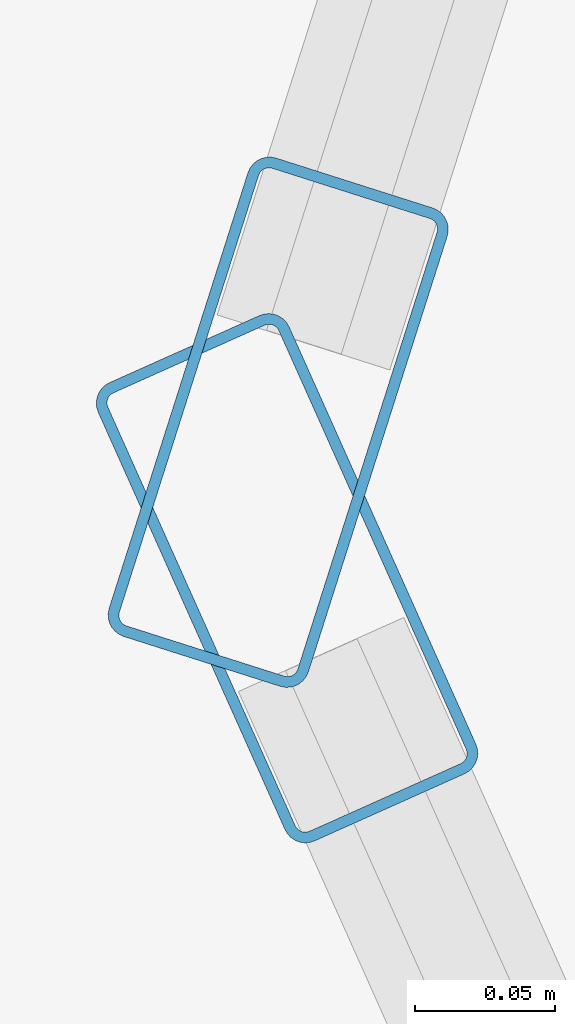
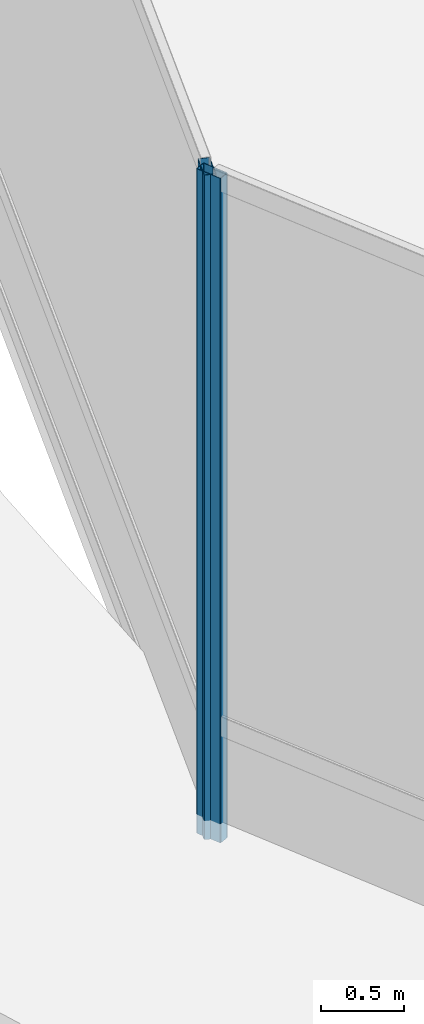
# One storey, part 6 of 21: 2 members, 2 elements without a shape of their own.
"""IFC4 building model written with IfcOpenShell, lengths in metres."""

from ifc_helpers import new_model, si_unit, direction, frame, origin, origin_2d, place, context, subcontext, project, spatial, hollow_rectangle, extrude, material, layer, layer_set, material_profile, profile_set, type_object, element, aggregate, save


model = new_model("IFC4")

# Units and contexts
model_context = context("Model", 3, precision=1e-05, world=origin(), true_north=direction((0.0, 1.0)))
body_context = subcontext(model_context, "Body", "Model", "MODEL_VIEW")
ifc_project = project(units=[si_unit("LENGTHUNIT", "METRE"), si_unit("AREAUNIT", "SQUARE_METRE"), si_unit("VOLUMEUNIT", "CUBIC_METRE"), si_unit("PLANEANGLEUNIT", "RADIAN"), si_unit("MASSUNIT", "GRAM", prefix="KILO")], contexts=[model_context])

# Site, building, storey
site_placement = place(None, origin())
site = spatial("IfcSite", under=ifc_project, at=site_placement, CompositionType="ELEMENT")
building_placement = place(site_placement, origin())
building = spatial("IfcBuilding", under=site, at=building_placement, Name="Solvaryn Broadcast Tower", CompositionType="ELEMENT")
storey_placement = place(building_placement, frame((0.0, 0.0, 297.39990234375)))
storey = spatial("IfcBuildingStorey", under=building, at=storey_placement, Name="L75", CompositionType="ELEMENT", Elevation=297.39990234375)

# Curtain wall, member
ifc_material_1 = material(Name="Aluminium and Terracotta Unitised Curtain Wall", Category="masonry")
ifc_layer = layer(ifc_material_1, 0.260009765625)
ifc_layer_set = layer_set([ifc_layer], Name="CW-SYS5-DAMPER")
curtain_wall_type = type_object("IfcCurtainWallType", Name="CW-SYS5-DAMPER", PredefinedType="NOTDEFINED", material=ifc_layer_set)
curtain_wall_1_placement = place(storey_placement, origin())
curtain_wall_1 = element("IfcCurtainWall", 1, at=curtain_wall_1_placement, inside=storey, type_object=curtain_wall_type, Name="L75 Curtain Wall DR1", PredefinedType="NOTDEFINED")
ifc_material_2 = material(Name="Anodised Aluminium 6063-T6", Category="aluminium")
ifc_material_profile = material_profile(ifc_material_2, hollow_rectangle(XDim=0.074951171875, YDim=0.179931640625, WallThickness=0.00390625, InnerFilletRadius=0.00390625, OuterFilletRadius=0.008056640625, at=origin_2d()))
ifc_profile_set = profile_set([ifc_material_profile], Name="Anodised Aluminium 6063-T6")
member_type = type_object("IfcMemberType", Name="CW-MUL-180", PredefinedType="MULLION", material=ifc_profile_set)
member_1_placement = place(storey_placement, frame((3.7470703125, 26.66455078125, 0.0), z_axis=(0.0, 0.0, 1.0), x_axis=(0.952794594701, -0.30361564569, 0.0)))
member_1 = element("IfcMember", 2, at=member_1_placement, type_object=member_type, Name="CWS5 mullion 3", PredefinedType="MULLION", context=body_context, shape_type="SweptSolid", body=[
    extrude(hollow_rectangle(XDim=0.074951171875, YDim=0.179931640625, WallThickness=0.00390625, InnerFilletRadius=0.00390625, OuterFilletRadius=0.008056640625, at=origin_2d()), origin(), (0.0, 0.0, 1.0), 4.8701171875),
])
aggregate(curtain_wall_1, [member_1])

curtain_wall_2_placement = place(storey_placement, origin())
curtain_wall_2 = element("IfcCurtainWall", 3, at=curtain_wall_2_placement, inside=storey, type_object=curtain_wall_type, Name="L75 Curtain Wall DR2", PredefinedType="NOTDEFINED")
member_2_placement = place(storey_placement, frame((3.750244140625, 26.608642578125, 0.0), z_axis=(0.0, 0.0, 1.0), x_axis=(0.912773530574, 0.408466010682, 0.0)))
member_2 = element("IfcMember", 4, at=member_2_placement, type_object=member_type, Name="CWS5 mullion 1", PredefinedType="MULLION", context=body_context, shape_type="SweptSolid", body=[
    extrude(hollow_rectangle(XDim=0.074951171875, YDim=0.179931640625, WallThickness=0.00390625, InnerFilletRadius=0.00390625, OuterFilletRadius=0.008056640625, at=origin_2d()), origin(), (0.0, 0.0, 1.0), 4.8701171875),
])
aggregate(curtain_wall_2, [member_2])

save(model, "model.ifc")
